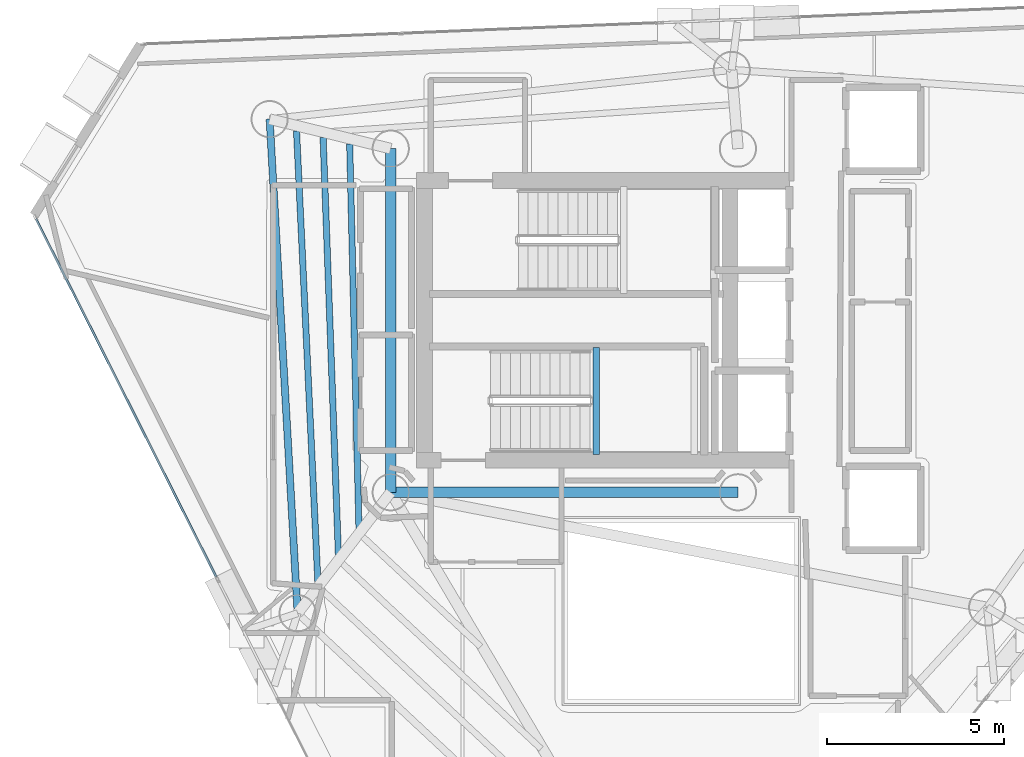
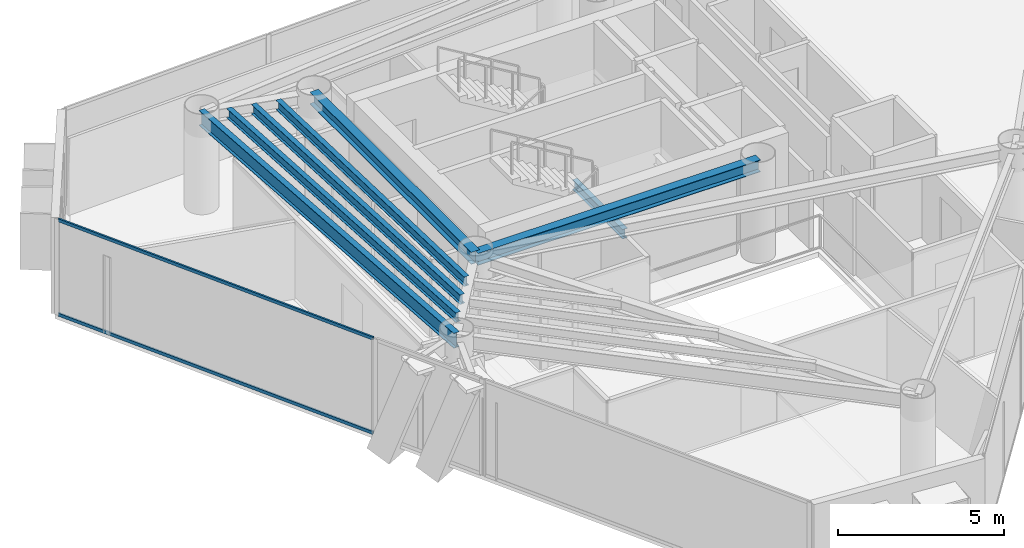
# One storey, part 7 of 19: 7 beams, 2 members, 1 element without a shape of its own.
"""IFC4 building model written with IfcOpenShell, lengths in metres."""

from ifc_helpers import new_model, si_unit, direction, frame, origin, origin_2d, place, context, subcontext, project, spatial, hollow_rectangle, i_section, extrude, material, layer, layer_set, material_profile, profile_set, type_object, element, aggregate, save


model = new_model("IFC4")

# Units and contexts
model_context = context("Model", 3, precision=1e-05, world=origin(), true_north=direction((0.0, 1.0)))
body_context = subcontext(model_context, "Body", "Model", "MODEL_VIEW")
ifc_project = project(units=[si_unit("LENGTHUNIT", "METRE"), si_unit("AREAUNIT", "SQUARE_METRE"), si_unit("VOLUMEUNIT", "CUBIC_METRE"), si_unit("PLANEANGLEUNIT", "RADIAN"), si_unit("MASSUNIT", "GRAM", prefix="KILO")], contexts=[model_context])

# Site, building, storey
site_placement = place(None, origin())
site = spatial("IfcSite", under=ifc_project, at=site_placement, CompositionType="ELEMENT")
building_placement = place(site_placement, origin())
building = spatial("IfcBuilding", under=site, at=building_placement, Name="Qianvela Tower", CompositionType="ELEMENT")
storey_placement = place(building_placement, frame((0.0, 0.0, 261.199951171875)))
storey = spatial("IfcBuildingStorey", under=building, at=storey_placement, Name="L67", CompositionType="ELEMENT", Elevation=261.199951171875)

# Beams
ifc_material_1 = material(Name="Steel Q355B", Category="steel")
ifc_material_profile_1 = material_profile(ifc_material_1, i_section(OverallWidth=0.300048828125, OverallDepth=0.43994140625, WebThickness=0.010986328125, FlangeThickness=0.01806640625, at=origin_2d()), Name="HM440x300x11x18")
ifc_profile_set_1 = profile_set([ifc_material_profile_1], Name="Steel Q355B")
beam_type_1 = type_object("IfcBeamType", Name="BM-HM440-COLL", PredefinedType="BEAM", material=ifc_profile_set_1)
beam_1_placement = place(storey_placement, frame((28.60009765625, 23.85009765625, 3.298095703125), z_axis=(1.0, 0.0, 0.0), x_axis=(0.0, 1.0, 0.0)))
element("IfcBeam", 1, at=beam_1_placement, inside=storey, type_object=beam_type_1, Name="L67 Core Ring Collector Girder CC1", PredefinedType="BEAM", context=body_context, shape_type="SweptSolid", body=[
    extrude(i_section(OverallWidth=0.300048828125, OverallDepth=0.43994140625, WebThickness=0.010986328125, FlangeThickness=0.01806640625, at=origin_2d()), origin(), (0.0, 0.0, 1.0), 9.7998046875),
])
beam_2_placement = place(storey_placement, frame((28.60009765625, 33.550048828125, 3.298095703125), z_axis=(0.0, -1.0, 0.0), x_axis=(1.0, 0.0, 0.0)))
element("IfcBeam", 2, at=beam_2_placement, inside=storey, type_object=beam_type_1, Name="L67 Core Ring Collector Girder CC2", PredefinedType="BEAM", context=body_context, shape_type="SweptSolid", body=[
    extrude(i_section(OverallWidth=0.300048828125, OverallDepth=0.43994140625, WebThickness=0.010986328125, FlangeThickness=0.01806640625, at=origin_2d()), origin(), (0.0, 0.0, 1.0), 9.699951171875),
])
ifc_material_2 = material(Name="Steel Q355B", Category="steel")
ifc_material_profile_2 = material_profile(ifc_material_2, i_section(OverallWidth=0.175048828125, OverallDepth=0.35009765625, WebThickness=0.007080078125, FlangeThickness=0.010986328125, at=origin_2d()), Name="HN350x175x7x11")
ifc_profile_set_2 = profile_set([ifc_material_profile_2], Name="Steel Q355B")
beam_type_2 = type_object("IfcBeamType", Name="BM-HN350-JOIST", PredefinedType="JOIST", material=ifc_profile_set_2)
beam_3_placement = place(storey_placement, frame((27.44140625, 33.6875, 3.343017578125), z_axis=(0.024087497273, -0.999709854145, 0.0), x_axis=(0.999709854145, 0.024087497273, 0.0)))
element("IfcBeam", 3, at=beam_3_placement, inside=storey, type_object=beam_type_2, Name="L67 Secondary Composite Floor Joist 3.1", PredefinedType="JOIST", context=body_context, shape_type="SweptSolid", body=[
    extrude(i_section(OverallWidth=0.175048828125, OverallDepth=0.35009765625, WebThickness=0.007080078125, FlangeThickness=0.010986328125, at=origin_2d()), origin(), (0.0, 0.0, 1.0), 10.855224609375),
])
beam_4_placement = place(storey_placement, frame((26.69140625, 33.87109375, 3.343017578125), z_axis=(0.036597460417, -0.999330088555, 0.0), x_axis=(0.999330088555, 0.036597460417, 0.0)))
element("IfcBeam", 4, at=beam_4_placement, inside=storey, type_object=beam_type_2, Name="L67 Secondary Composite Floor Joist 3.2", PredefinedType="JOIST", context=body_context, shape_type="SweptSolid", body=[
    extrude(i_section(OverallWidth=0.175048828125, OverallDepth=0.35009765625, WebThickness=0.007080078125, FlangeThickness=0.010986328125, at=origin_2d()), origin(), (0.0, 0.0, 1.0), 11.794189453125),
])
beam_5_placement = place(storey_placement, frame((25.94091796875, 34.0546875, 3.343017578125), z_axis=(0.04729372403, -0.998881025782, 0.0), x_axis=(0.998881025782, 0.04729372403, 0.0)))
element("IfcBeam", 5, at=beam_5_placement, inside=storey, type_object=beam_type_2, Name="L67 Secondary Composite Floor Joist 3.3", PredefinedType="JOIST", context=body_context, shape_type="SweptSolid", body=[
    extrude(i_section(OverallWidth=0.175048828125, OverallDepth=0.35009765625, WebThickness=0.007080078125, FlangeThickness=0.010986328125, at=origin_2d()), origin(), (0.0, 0.0, 1.0), 12.735107421875),
])
beam_6_placement = place(storey_placement, frame((34.39990234375, 24.919921875, 1.47509765625), z_axis=(0.0, 1.0, 0.0), x_axis=(-1.0, 0.0, 0.0)))
element("IfcBeam", 6, at=beam_6_placement, inside=storey, type_object=beam_type_2, Name="L67 Stair ST-2 Landing Support Beam 1.1", PredefinedType="JOIST", context=body_context, shape_type="SweptSolid", body=[
    extrude(i_section(OverallWidth=0.175048828125, OverallDepth=0.35009765625, WebThickness=0.007080078125, FlangeThickness=0.010986328125, at=origin_2d()), origin(), (0.0, 0.0, 1.0), 3.02001953125),
])
ifc_material_3 = material(Name="Steel Q355B", Category="steel")
ifc_material_profile_3 = material_profile(ifc_material_3, i_section(OverallWidth=0.199951171875, OverallDepth=0.550048828125, WebThickness=0.010009765625, FlangeThickness=0.01611328125, at=origin_2d()), Name="HN550x200x10x16")
ifc_profile_set_3 = profile_set([ifc_material_profile_3], Name="Steel Q355B")
beam_type_3 = type_object("IfcBeamType", Name="BM-HN550-GIRD", PredefinedType="BEAM", material=ifc_profile_set_3)
beam_7_placement = place(storey_placement, frame((25.181884765625, 34.384033203125, 3.2431640625), z_axis=(0.056555056691, -0.998399481952, 0.0), x_axis=(0.998399481952, 0.056555056691, 0.0)))
element("IfcBeam", 7, at=beam_7_placement, inside=storey, type_object=beam_type_3, Name="L67 Perimeter Ring Spandrel Girder 3", PredefinedType="BEAM", context=body_context, shape_type="SweptSolid", body=[
    extrude(i_section(OverallWidth=0.199951171875, OverallDepth=0.550048828125, WebThickness=0.010009765625, FlangeThickness=0.01611328125, at=origin_2d()), origin(), (0.0, 0.0, 1.0), 13.969482421875),
])

# Curtain wall, members
ifc_material_4 = material(Name="Anodised Architectural Aluminium and Low-E Glass", Category="aluminium")
ifc_layer = layer(ifc_material_4, 0.159912109375)
ifc_layer_set = layer_set([ifc_layer], Name="Anodised Architectural Aluminium and Low-E Glass")
curtain_wall_type = type_object("IfcCurtainWallType", Name="CW-COLIV-Z56", PredefinedType="USERDEFINED", material=ifc_layer_set)
curtain_wall_placement = place(storey_placement, origin())
curtain_wall = element("IfcCurtainWall", 8, at=curtain_wall_placement, inside=storey, type_object=curtain_wall_type, Name="L67 CW-COLIV-Z56 Curtain Wall 04A", ObjectType="CURTAIN_WALL_SYSTEM", PredefinedType="USERDEFINED")
ifc_material_5 = material(Name="Anodised Architectural Aluminium 6063-T6", Category="aluminium")
ifc_material_profile_4 = material_profile(ifc_material_5, hollow_rectangle(XDim=0.06005859375, YDim=0.114990234375, WallThickness=0.00390625, at=origin_2d()), Name="ALU-TRAN-60x115")
ifc_profile_set_4 = profile_set([ifc_material_profile_4], Name="Anodised Architectural Aluminium 6063-T6")
member_type = type_object("IfcMemberType", Name="CW-COLIV-Z56-TRAN", PredefinedType="USERDEFINED", material=ifc_profile_set_4)
member_1_placement = place(storey_placement, frame((18.587646484375, 31.568359375, 0.030029296875), z_axis=(0.449621004263, -0.893219431341, 0.0), x_axis=(0.893219431341, 0.449621004263, 0.0)))
member_1 = element("IfcMember", 9, at=member_1_placement, type_object=member_type, Name="CW-5 transom 1.1", ObjectType="TRANSOM", PredefinedType="USERDEFINED", context=body_context, shape_type="SweptSolid", body=[
    extrude(hollow_rectangle(XDim=0.06005859375, YDim=0.114990234375, WallThickness=0.00390625, at=origin_2d()), origin(), (0.0, 0.0, 1.0), 11.31005859375),
])
member_2_placement = place(storey_placement, frame((18.587646484375, 31.568359375, 3.489990234375), z_axis=(0.449621004263, -0.893219431341, 0.0), x_axis=(0.893219431341, 0.449621004263, 0.0)))
member_2 = element("IfcMember", 10, at=member_2_placement, type_object=member_type, Name="CW-5 transom 1.2", ObjectType="TRANSOM", PredefinedType="USERDEFINED", context=body_context, shape_type="SweptSolid", body=[
    extrude(hollow_rectangle(XDim=0.06005859375, YDim=0.114990234375, WallThickness=0.00390625, at=origin_2d()), origin(), (0.0, 0.0, 1.0), 11.31005859375),
])
aggregate(curtain_wall, [member_1, member_2])

save(model, "model.ifc")
